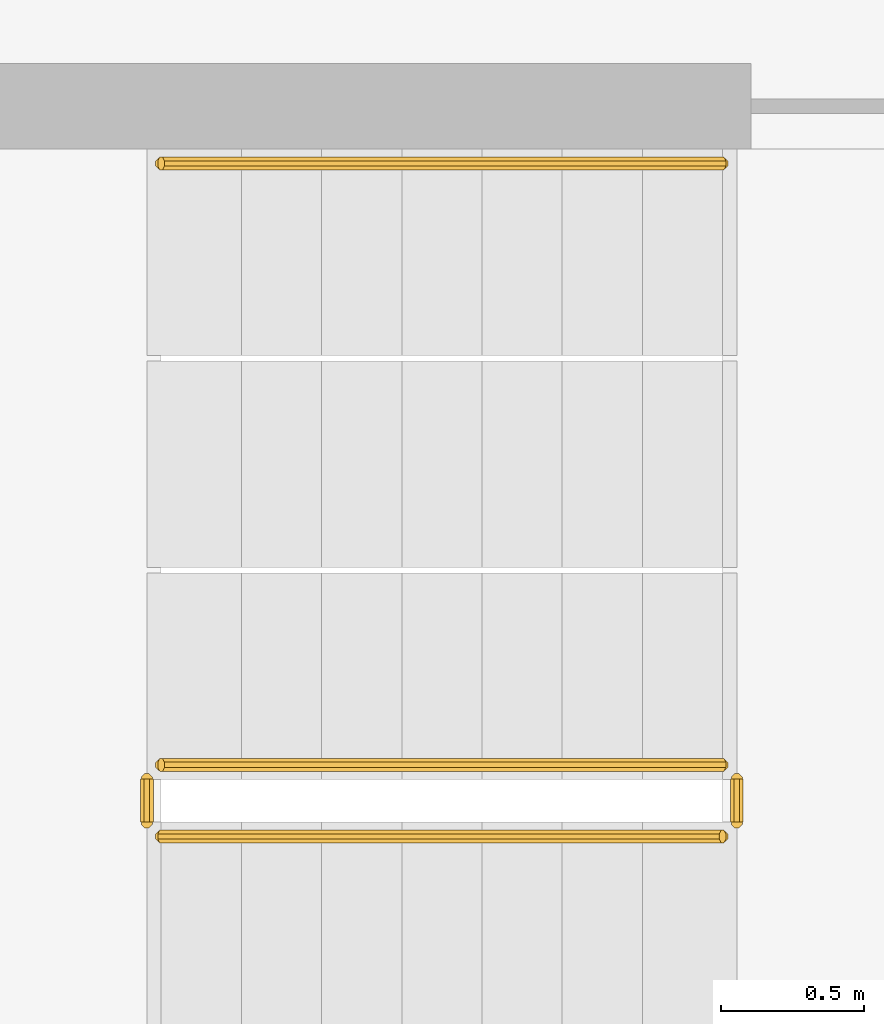
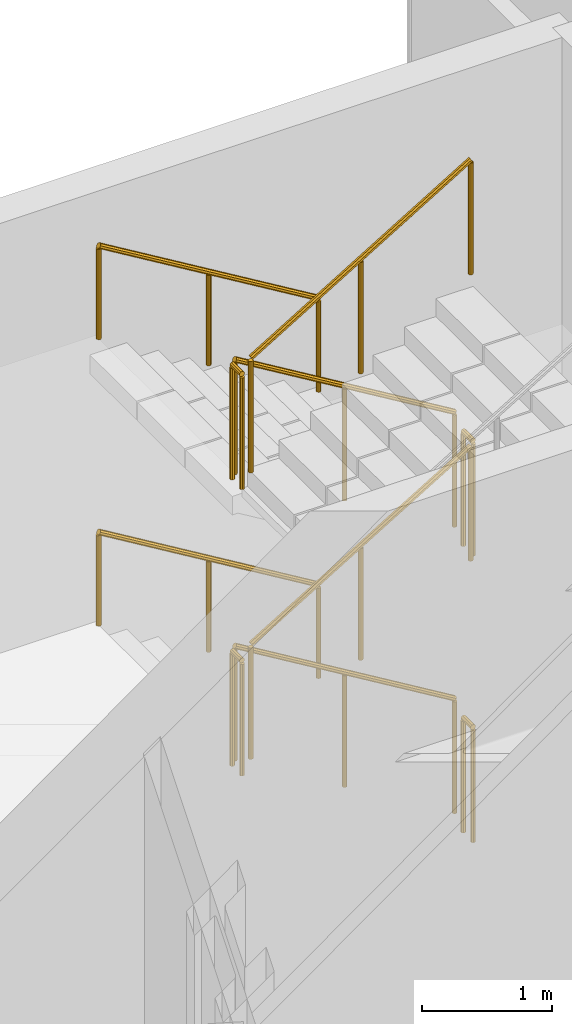
# One storey, part 20 of 30: 10 railings.
"""IFC4 building model written with IfcOpenShell, lengths in metres."""

from ifc_helpers import new_model, si_unit, direction, frame, origin, place, context, subcontext, project, spatial, polyline, outline, extrude, material, type_object, element, save


model = new_model("IFC4")

# Units and contexts
model_context = context("Model", 3, precision=1e-05, world=origin(), true_north=direction((0.0, 1.0)))
body_context = subcontext(model_context, "Body", "Model", "MODEL_VIEW")
ifc_project = project(units=[si_unit("LENGTHUNIT", "METRE"), si_unit("AREAUNIT", "SQUARE_METRE"), si_unit("VOLUMEUNIT", "CUBIC_METRE"), si_unit("PLANEANGLEUNIT", "RADIAN"), si_unit("MASSUNIT", "GRAM", prefix="KILO")], contexts=[model_context])

# Site, building, storey
site_placement = place(None, origin())
site = spatial("IfcSite", under=ifc_project, at=site_placement, CompositionType="ELEMENT")
building_placement = place(site_placement, origin())
building = spatial("IfcBuilding", under=site, at=building_placement, Name="Cormorant Relay Tower", CompositionType="ELEMENT")
storey_placement = place(building_placement, frame((0.0, 0.0, 44.60009765625)))
storey = spatial("IfcBuildingStorey", under=building, at=storey_placement, Name="L08", CompositionType="ELEMENT", Elevation=44.60009765625)

# Railings
ifc_material_1 = material(Name="Steel ASTM A572 Grade 50 (Fy 345 MPa)", Category="steel")
railing_type_1 = type_object("IfcRailingType", Name="Stair guard 1100", PredefinedType="GUARDRAIL", material=ifc_material_1)
railing_1_placement = place(storey_placement, frame((1.60009765625, -18.27490234375, 0.168701171875)))
element("IfcRailing", 1, at=railing_1_placement, inside=storey, type_object=railing_type_1, Name="L08 RK1 stair guard 1", PredefinedType="GUARDRAIL", context=body_context, shape_type="SweptSolid", body=[
    extrude(outline(polyline([(0.022216796875, 0.00927734375), (0.00927734375, 0.022216796875), (-0.00927734375, 0.022216796875), (-0.022216796875, 0.00927734375), (-0.022216796875, -0.00927734375), (-0.00927734375, -0.022216796875), (0.00927734375, -0.022216796875), (0.022216796875, -0.00927734375), (0.022216796875, 0.00927734375)])), frame((0.0, 0.0, 1.076171875), z_axis=(-0.856521883693, 0.0, 0.516110707847), x_axis=(0.0, -1.0, 0.0)), (0.0, 0.0, 1.0), 2.28857421875),
    extrude(outline(polyline([(0.019287109375, 0.008056640625), (0.008056640625, 0.019287109375), (-0.008056640625, 0.019287109375), (-0.019287109375, 0.008056640625), (-0.019287109375, -0.008056640625), (-0.008056640625, -0.019287109375), (0.008056640625, -0.019287109375), (0.019287109375, -0.008056640625), (0.019287109375, 0.008056640625)])), origin(), (0.0, 0.0, 1.0), 1.052001953125),
    extrude(outline(polyline([(0.019287109375, 0.008056640625), (0.008056640625, 0.019287109375), (-0.008056640625, 0.019287109375), (-0.019287109375, 0.008056640625), (-0.019287109375, -0.008056640625), (-0.008056640625, -0.019287109375), (0.008056640625, -0.019287109375), (0.019287109375, -0.008056640625), (0.019287109375, 0.008056640625)])), frame((-0.97998046875, 0.0, 0.590576171875)), (0.0, 0.0, 1.0), 1.052001953125),
    extrude(outline(polyline([(0.019287109375, 0.008056640625), (0.008056640625, 0.019287109375), (-0.008056640625, 0.019287109375), (-0.019287109375, 0.008056640625), (-0.019287109375, -0.008056640625), (-0.008056640625, -0.019287109375), (0.008056640625, -0.019287109375), (0.019287109375, -0.008056640625), (0.019287109375, 0.008056640625)])), frame((-1.960205078125, 0.0, 1.18115234375)), (0.0, 0.0, 1.0), 1.052001953125),
])
railing_2_placement = place(storey_placement, frame((-0.409912109375, -18.324951171875, 1.349853515625)))
element("IfcRailing", 2, at=railing_2_placement, inside=storey, type_object=railing_type_1, Name="L08 RK1 stair guard 2", PredefinedType="GUARDRAIL", context=body_context, shape_type="SweptSolid", body=[
    extrude(outline(polyline([(0.022216796875, 0.00927734375), (0.00927734375, 0.022216796875), (-0.00927734375, 0.022216796875), (-0.022216796875, 0.00927734375), (-0.022216796875, -0.00927734375), (-0.00927734375, -0.022216796875), (0.00927734375, -0.022216796875), (0.022216796875, -0.00927734375), (0.022216796875, 0.00927734375)])), frame((0.0, 0.0, 1.076171875), z_axis=(0.0, -1.0, 0.0), x_axis=(1.0, 0.0, 0.0)), (0.0, 0.0, 1.0), 0.150146484375),
    extrude(outline(polyline([(0.019287109375, 0.008056640625), (0.008056640625, 0.019287109375), (-0.008056640625, 0.019287109375), (-0.019287109375, 0.008056640625), (-0.019287109375, -0.008056640625), (-0.008056640625, -0.019287109375), (0.008056640625, -0.019287109375), (0.019287109375, -0.008056640625), (0.019287109375, 0.008056640625)])), origin(), (0.0, 0.0, 1.0), 1.052001953125),
    extrude(outline(polyline([(0.019287109375, 0.008056640625), (0.008056640625, 0.019287109375), (-0.008056640625, 0.019287109375), (-0.019287109375, 0.008056640625), (-0.019287109375, -0.008056640625), (-0.008056640625, -0.019287109375), (0.008056640625, -0.019287109375), (0.019287109375, -0.008056640625), (0.019287109375, 0.008056640625)])), frame((0.0, -0.150146484375, 0.0)), (0.0, 0.0, 1.0), 1.052001953125),
])
railing_3_placement = place(storey_placement, frame((-0.360107421875, -18.52490234375, 1.5185546875)))
element("IfcRailing", 3, at=railing_3_placement, inside=storey, type_object=railing_type_1, Name="L08 RK1 stair guard 3", PredefinedType="GUARDRAIL", context=body_context, shape_type="SweptSolid", body=[
    extrude(outline(polyline([(0.022216796875, 0.00927734375), (0.00927734375, 0.022216796875), (-0.00927734375, 0.022216796875), (-0.022216796875, 0.00927734375), (-0.022216796875, -0.00927734375), (-0.00927734375, -0.022216796875), (0.00927734375, -0.022216796875), (0.022216796875, -0.00927734375), (0.022216796875, 0.00927734375)])), frame((0.0, 0.0, 1.076171875), z_axis=(0.856474724393, 0.0, 0.516188963923), x_axis=(0.0, 1.0, 0.0)), (0.0, 0.0, 1.0), 2.28857421875),
    extrude(outline(polyline([(0.019287109375, 0.008056640625), (0.008056640625, 0.019287109375), (-0.008056640625, 0.019287109375), (-0.019287109375, 0.008056640625), (-0.019287109375, -0.008056640625), (-0.008056640625, -0.019287109375), (0.008056640625, -0.019287109375), (0.019287109375, -0.008056640625), (0.019287109375, 0.008056640625)])), origin(), (0.0, 0.0, 1.0), 1.052001953125),
    extrude(outline(polyline([(0.019287109375, 0.008056640625), (0.008056640625, 0.019287109375), (-0.008056640625, 0.019287109375), (-0.019287109375, 0.008056640625), (-0.019287109375, -0.008056640625), (-0.008056640625, -0.019287109375), (0.008056640625, -0.019287109375), (0.019287109375, -0.008056640625), (0.019287109375, 0.008056640625)])), frame((0.97998046875, 0.0, 0.5908203125)), (0.0, 0.0, 1.0), 1.052001953125),
    extrude(outline(polyline([(0.019287109375, 0.008056640625), (0.008056640625, 0.019287109375), (-0.008056640625, 0.019287109375), (-0.019287109375, 0.008056640625), (-0.019287109375, -0.008056640625), (-0.008056640625, -0.019287109375), (0.008056640625, -0.019287109375), (0.019287109375, -0.008056640625), (0.019287109375, 0.008056640625)])), frame((1.960205078125, 0.0, 1.181396484375)), (0.0, 0.0, 1.0), 1.052001953125),
])
railing_4_placement = place(storey_placement, frame((1.64990234375, -18.324951171875, 2.699951171875)))
element("IfcRailing", 4, at=railing_4_placement, inside=storey, type_object=railing_type_1, Name="L08 RK1 stair guard 4", PredefinedType="GUARDRAIL", context=body_context, shape_type="SweptSolid", body=[
    extrude(outline(polyline([(0.022216796875, 0.00927734375), (0.00927734375, 0.022216796875), (-0.00927734375, 0.022216796875), (-0.022216796875, 0.00927734375), (-0.022216796875, -0.00927734375), (-0.00927734375, -0.022216796875), (0.00927734375, -0.022216796875), (0.022216796875, -0.00927734375), (0.022216796875, 0.00927734375)])), frame((0.0, 0.0, 1.076171875), z_axis=(0.0, -1.0, 0.0), x_axis=(1.0, 0.0, 0.0)), (0.0, 0.0, 1.0), 0.150146484375),
    extrude(outline(polyline([(0.019287109375, 0.008056640625), (0.008056640625, 0.019287109375), (-0.008056640625, 0.019287109375), (-0.019287109375, 0.008056640625), (-0.019287109375, -0.008056640625), (-0.008056640625, -0.019287109375), (0.008056640625, -0.019287109375), (0.019287109375, -0.008056640625), (0.019287109375, 0.008056640625)])), origin(), (0.0, 0.0, 1.0), 1.052001953125),
    extrude(outline(polyline([(0.019287109375, 0.008056640625), (0.008056640625, 0.019287109375), (-0.008056640625, 0.019287109375), (-0.019287109375, 0.008056640625), (-0.019287109375, -0.008056640625), (-0.008056640625, -0.019287109375), (0.008056640625, -0.019287109375), (0.019287109375, -0.008056640625), (0.019287109375, 0.008056640625)])), frame((0.0, -0.150146484375, 0.0)), (0.0, 0.0, 1.0), 1.052001953125),
])
railing_5_placement = place(storey_placement, frame((1.60009765625, -18.27490234375, 2.86865234375)))
element("IfcRailing", 5, at=railing_5_placement, inside=storey, type_object=railing_type_1, Name="L08 RK1 stair guard 5", PredefinedType="GUARDRAIL", context=body_context, shape_type="SweptSolid", body=[
    extrude(outline(polyline([(0.022216796875, 0.00927734375), (0.00927734375, 0.022216796875), (-0.00927734375, 0.022216796875), (-0.022216796875, 0.00927734375), (-0.022216796875, -0.00927734375), (-0.00927734375, -0.022216796875), (0.00927734375, -0.022216796875), (0.022216796875, -0.00927734375), (0.022216796875, 0.00927734375)])), frame((0.0, 0.0, 1.076171875), z_axis=(-0.856521883693, 0.0, 0.516110707847), x_axis=(0.0, -1.0, 0.0)), (0.0, 0.0, 1.0), 2.28857421875),
    extrude(outline(polyline([(0.019287109375, 0.008056640625), (0.008056640625, 0.019287109375), (-0.008056640625, 0.019287109375), (-0.019287109375, 0.008056640625), (-0.019287109375, -0.008056640625), (-0.008056640625, -0.019287109375), (0.008056640625, -0.019287109375), (0.019287109375, -0.008056640625), (0.019287109375, 0.008056640625)])), origin(), (0.0, 0.0, 1.0), 1.052001953125),
    extrude(outline(polyline([(0.019287109375, 0.008056640625), (0.008056640625, 0.019287109375), (-0.008056640625, 0.019287109375), (-0.019287109375, 0.008056640625), (-0.019287109375, -0.008056640625), (-0.008056640625, -0.019287109375), (0.008056640625, -0.019287109375), (0.019287109375, -0.008056640625), (0.019287109375, 0.008056640625)])), frame((-0.97998046875, 0.0, 0.590576171875)), (0.0, 0.0, 1.0), 1.052001953125),
    extrude(outline(polyline([(0.019287109375, 0.008056640625), (0.008056640625, 0.019287109375), (-0.008056640625, 0.019287109375), (-0.019287109375, 0.008056640625), (-0.019287109375, -0.008056640625), (-0.008056640625, -0.019287109375), (0.008056640625, -0.019287109375), (0.019287109375, -0.008056640625), (0.019287109375, 0.008056640625)])), frame((-1.960205078125, 0.0, 1.18115234375)), (0.0, 0.0, 1.0), 1.052001953125),
])
railing_6_placement = place(storey_placement, frame((-0.409912109375, -18.324951171875, 4.0498046875)))
element("IfcRailing", 6, at=railing_6_placement, inside=storey, type_object=railing_type_1, Name="L08 RK1 stair guard 6", PredefinedType="GUARDRAIL", context=body_context, shape_type="SweptSolid", body=[
    extrude(outline(polyline([(0.022216796875, 0.00927734375), (0.00927734375, 0.022216796875), (-0.00927734375, 0.022216796875), (-0.022216796875, 0.00927734375), (-0.022216796875, -0.00927734375), (-0.00927734375, -0.022216796875), (0.00927734375, -0.022216796875), (0.022216796875, -0.00927734375), (0.022216796875, 0.00927734375)])), frame((0.0, 0.0, 1.076171875), z_axis=(0.0, -1.0, 0.0), x_axis=(1.0, 0.0, 0.0)), (0.0, 0.0, 1.0), 0.150146484375),
    extrude(outline(polyline([(0.019287109375, 0.008056640625), (0.008056640625, 0.019287109375), (-0.008056640625, 0.019287109375), (-0.019287109375, 0.008056640625), (-0.019287109375, -0.008056640625), (-0.008056640625, -0.019287109375), (0.008056640625, -0.019287109375), (0.019287109375, -0.008056640625), (0.019287109375, 0.008056640625)])), origin(), (0.0, 0.0, 1.0), 1.052001953125),
    extrude(outline(polyline([(0.019287109375, 0.008056640625), (0.008056640625, 0.019287109375), (-0.008056640625, 0.019287109375), (-0.019287109375, 0.008056640625), (-0.019287109375, -0.008056640625), (-0.008056640625, -0.019287109375), (0.008056640625, -0.019287109375), (0.019287109375, -0.008056640625), (0.019287109375, 0.008056640625)])), frame((0.0, -0.150146484375, 0.0)), (0.0, 0.0, 1.0), 1.052001953125),
])
railing_7_placement = place(storey_placement, frame((-0.360107421875, -18.52490234375, 4.21875)))
element("IfcRailing", 7, at=railing_7_placement, inside=storey, type_object=railing_type_1, Name="L08 RK1 stair guard 7", PredefinedType="GUARDRAIL", context=body_context, shape_type="SweptSolid", body=[
    extrude(outline(polyline([(0.022216796875, 0.00927734375), (0.00927734375, 0.022216796875), (-0.00927734375, 0.022216796875), (-0.022216796875, 0.00927734375), (-0.022216796875, -0.00927734375), (-0.00927734375, -0.022216796875), (0.00927734375, -0.022216796875), (0.022216796875, -0.00927734375), (0.022216796875, 0.00927734375)])), frame((0.0, 0.0, 1.076171875), z_axis=(0.856521883693, 0.0, 0.516110707847), x_axis=(0.0, 1.0, 0.0)), (0.0, 0.0, 1.0), 2.28857421875),
    extrude(outline(polyline([(0.019287109375, 0.008056640625), (0.008056640625, 0.019287109375), (-0.008056640625, 0.019287109375), (-0.019287109375, 0.008056640625), (-0.019287109375, -0.008056640625), (-0.008056640625, -0.019287109375), (0.008056640625, -0.019287109375), (0.019287109375, -0.008056640625), (0.019287109375, 0.008056640625)])), origin(), (0.0, 0.0, 1.0), 1.052001953125),
    extrude(outline(polyline([(0.019287109375, 0.008056640625), (0.008056640625, 0.019287109375), (-0.008056640625, 0.019287109375), (-0.019287109375, 0.008056640625), (-0.019287109375, -0.008056640625), (-0.008056640625, -0.019287109375), (0.008056640625, -0.019287109375), (0.019287109375, -0.008056640625), (0.019287109375, 0.008056640625)])), frame((0.97998046875, 0.0, 0.590576171875)), (0.0, 0.0, 1.0), 1.052001953125),
    extrude(outline(polyline([(0.019287109375, 0.008056640625), (0.008056640625, 0.019287109375), (-0.008056640625, 0.019287109375), (-0.019287109375, 0.008056640625), (-0.019287109375, -0.008056640625), (-0.008056640625, -0.019287109375), (0.008056640625, -0.019287109375), (0.019287109375, -0.008056640625), (0.019287109375, 0.008056640625)])), frame((1.960205078125, 0.0, 1.18115234375)), (0.0, 0.0, 1.0), 1.052001953125),
])
railing_8_placement = place(storey_placement, frame((1.64990234375, -18.324951171875, 0.0)))
element("IfcRailing", 8, at=railing_8_placement, inside=storey, type_object=railing_type_1, Name="L08 RK1 stair guard 8", PredefinedType="GUARDRAIL", context=body_context, shape_type="SweptSolid", body=[
    extrude(outline(polyline([(0.022216796875, 0.00927734375), (0.00927734375, 0.022216796875), (-0.00927734375, 0.022216796875), (-0.022216796875, 0.00927734375), (-0.022216796875, -0.00927734375), (-0.00927734375, -0.022216796875), (0.00927734375, -0.022216796875), (0.022216796875, -0.00927734375), (0.022216796875, 0.00927734375)])), frame((0.0, 0.0, 1.076171875), z_axis=(0.0, -1.0, 0.0), x_axis=(1.0, 0.0, 0.0)), (0.0, 0.0, 1.0), 0.150146484375),
    extrude(outline(polyline([(0.019287109375, 0.008056640625), (0.008056640625, 0.019287109375), (-0.008056640625, 0.019287109375), (-0.019287109375, 0.008056640625), (-0.019287109375, -0.008056640625), (-0.008056640625, -0.019287109375), (0.008056640625, -0.019287109375), (0.019287109375, -0.008056640625), (0.019287109375, 0.008056640625)])), origin(), (0.0, 0.0, 1.0), 1.052001953125),
    extrude(outline(polyline([(0.019287109375, 0.008056640625), (0.008056640625, 0.019287109375), (-0.008056640625, 0.019287109375), (-0.019287109375, 0.008056640625), (-0.019287109375, -0.008056640625), (-0.008056640625, -0.019287109375), (0.008056640625, -0.019287109375), (0.019287109375, -0.008056640625), (0.019287109375, 0.008056640625)])), frame((0.0, -0.150146484375, 0.0)), (0.0, 0.0, 1.0), 1.052001953125),
])
ifc_material_2 = material(Name="Steel ASTM A572 Grade 50 (Fy 345 MPa)", Category="steel")
railing_type_2 = type_object("IfcRailingType", Name="Stair handrail 900", PredefinedType="HANDRAIL", material=ifc_material_2)
for number, where, name in (
    (9, (1.60009765625, -16.175048828125, 0.168701171875), "L08 RK1 stair handrail 1"),
    (10, (1.60009765625, -16.175048828125, 2.86865234375), "L08 RK1 stair handrail 3"),
):
    element("IfcRailing", number, at=place(storey_placement, frame(where)), inside=storey, type_object=railing_type_2, Name=name, PredefinedType="HANDRAIL", context=body_context, shape_type="SweptSolid", body=[
        extrude(outline(polyline([(0.022216796875, 0.00927734375), (0.00927734375, 0.022216796875), (-0.00927734375, 0.022216796875), (-0.022216796875, 0.00927734375), (-0.022216796875, -0.00927734375), (-0.00927734375, -0.022216796875), (0.00927734375, -0.022216796875), (0.022216796875, -0.00927734375), (0.022216796875, 0.00927734375)])), frame((0.0, 0.0, 0.8759765625), z_axis=(-0.856521883693, 0.0, 0.516110707847), x_axis=(0.0, -1.0, 0.0)), (0.0, 0.0, 1.0), 2.28857421875),
        extrude(outline(polyline([(0.019287109375, 0.008056640625), (0.008056640625, 0.019287109375), (-0.008056640625, 0.019287109375), (-0.019287109375, 0.008056640625), (-0.019287109375, -0.008056640625), (-0.008056640625, -0.019287109375), (0.008056640625, -0.019287109375), (0.019287109375, -0.008056640625), (0.019287109375, 0.008056640625)])), origin(), (0.0, 0.0, 1.0), 0.851806640625),
        extrude(outline(polyline([(0.019287109375, 0.008056640625), (0.008056640625, 0.019287109375), (-0.008056640625, 0.019287109375), (-0.019287109375, 0.008056640625), (-0.019287109375, -0.008056640625), (-0.008056640625, -0.019287109375), (0.008056640625, -0.019287109375), (0.019287109375, -0.008056640625), (0.019287109375, 0.008056640625)])), frame((-0.97998046875, 0.0, 0.590576171875)), (0.0, 0.0, 1.0), 0.851806640625),
        extrude(outline(polyline([(0.019287109375, 0.008056640625), (0.008056640625, 0.019287109375), (-0.008056640625, 0.019287109375), (-0.019287109375, 0.008056640625), (-0.019287109375, -0.008056640625), (-0.008056640625, -0.019287109375), (0.008056640625, -0.019287109375), (0.019287109375, -0.008056640625), (0.019287109375, 0.008056640625)])), frame((-1.960205078125, 0.0, 1.18115234375)), (0.0, 0.0, 1.0), 0.851806640625),
    ])

save(model, "model.ifc")
